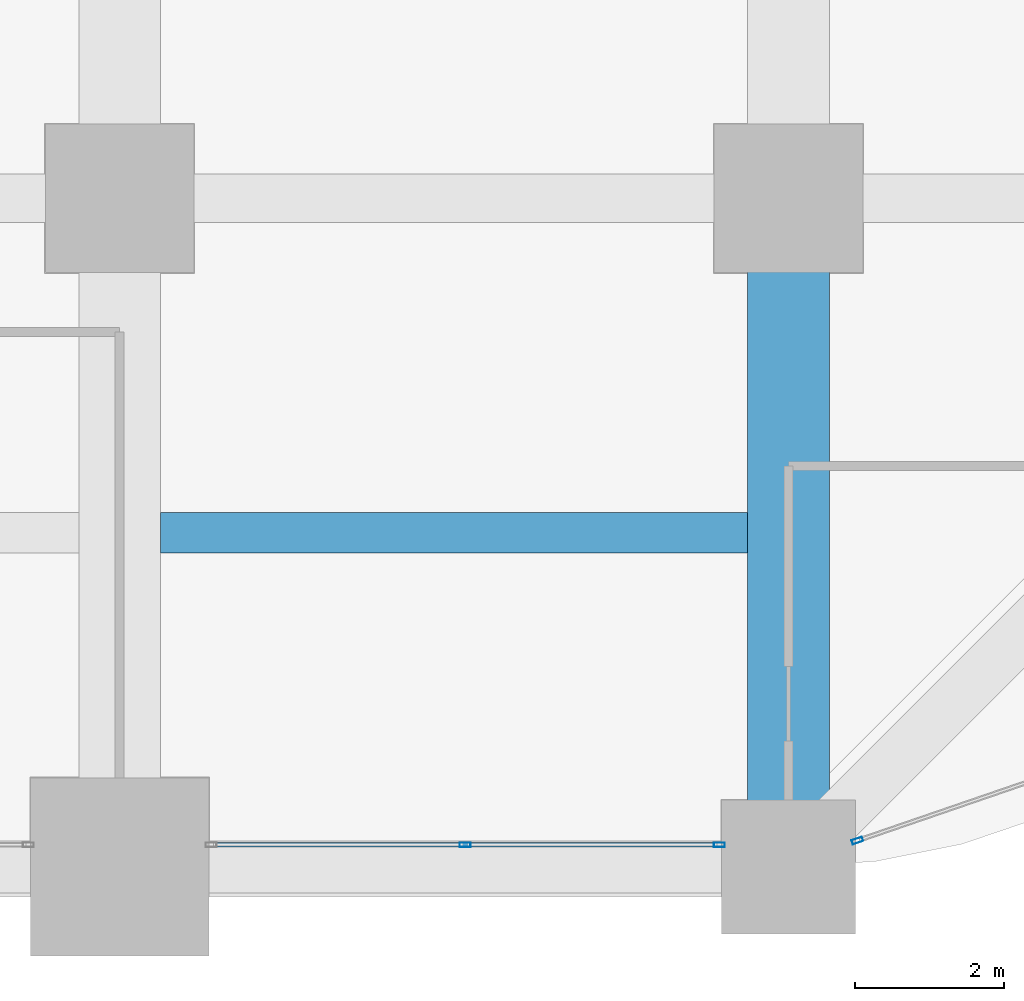
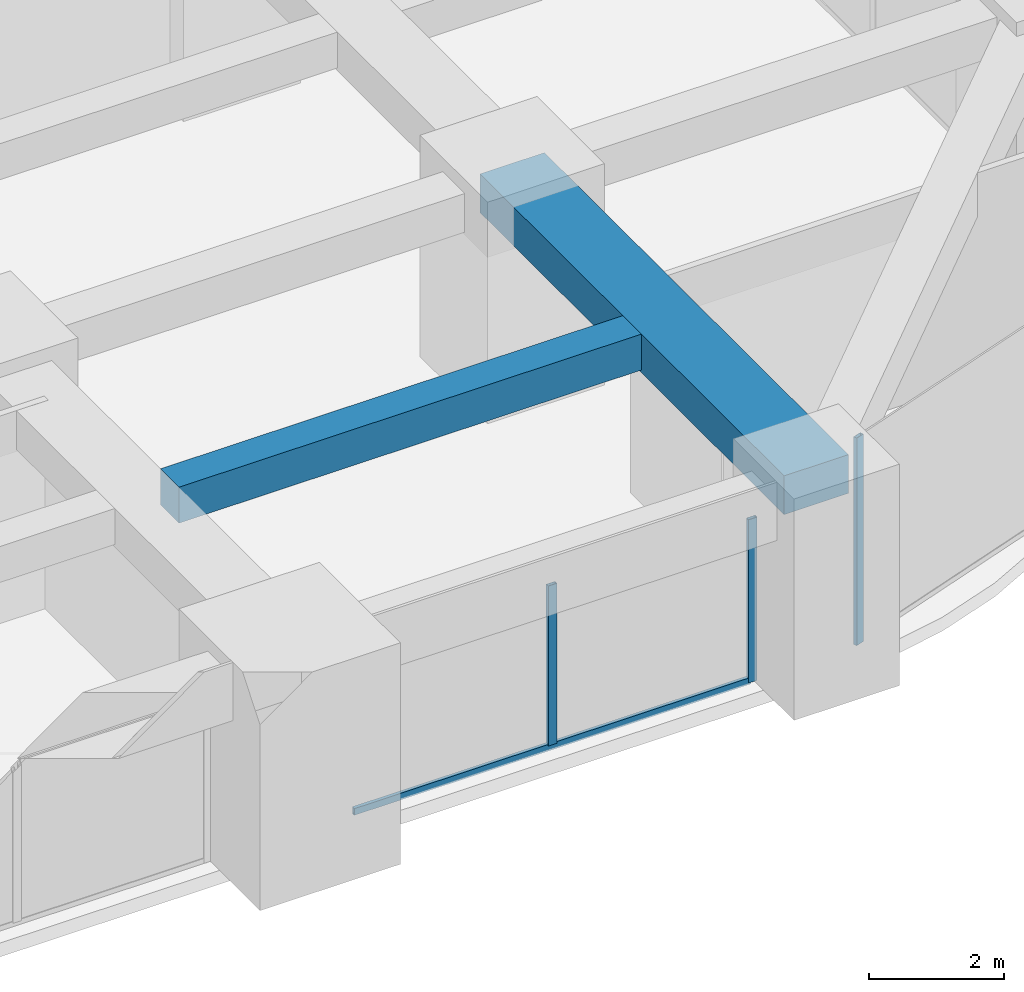
# One storey, part 16 of 39: 4 members, 2 beams, 2 elements without a shape of their own.
"""IFC4 building model written with IfcOpenShell, lengths in metres."""

from ifc_helpers import new_model, si_unit, direction, frame, origin, origin_2d, place, context, subcontext, project, spatial, rectangle, hollow_rectangle, extrude, material, material_profile, profile_set, type_object, element, aggregate, save


model = new_model("IFC4")

# Units and contexts
model_context = context("Model", 3, precision=1e-05, world=origin(), true_north=direction((0.0, 1.0)))
body_context = subcontext(model_context, "Body", "Model", "MODEL_VIEW")
ifc_project = project(units=[si_unit("LENGTHUNIT", "METRE"), si_unit("AREAUNIT", "SQUARE_METRE"), si_unit("VOLUMEUNIT", "CUBIC_METRE"), si_unit("PLANEANGLEUNIT", "RADIAN"), si_unit("MASSUNIT", "GRAM", prefix="KILO")], contexts=[model_context])

# Site, building, storey
site_placement = place(None, origin())
site = spatial("IfcSite", under=ifc_project, at=site_placement, CompositionType="ELEMENT")
building_placement = place(site_placement, origin())
building = spatial("IfcBuilding", under=site, at=building_placement, Name="Zorevar Civic Tower", CompositionType="ELEMENT")
storey_placement = place(building_placement, frame((0.0, 0.0, 117.0)))
storey = spatial("IfcBuildingStorey", under=building, at=storey_placement, Name="L28", CompositionType="ELEMENT", Elevation=117.0)

# Beams
ifc_material_1 = material(Name="Concrete C50/60", Category="concrete")
ifc_material_profile_1 = material_profile(ifc_material_1, rectangle(XDim=1.10009765625, YDim=0.699951171875, at=origin_2d()), Name="RC 1100x700")
ifc_profile_set_1 = profile_set([ifc_material_profile_1], Name="Concrete C50/60")
beam_type_1 = type_object("IfcBeamType", Name="Beam RC 1100x700", PredefinedType="BEAM", material=ifc_profile_set_1)
beam_1_placement = place(storey_placement, frame((54.0, 0.0, 3.39990234375), z_axis=(0.0, 1.0, 0.0), x_axis=(-1.0, 0.0, 0.0)))
element("IfcBeam", 1, at=beam_1_placement, inside=storey, type_object=beam_type_1, Name="Girder L29", PredefinedType="BEAM", context=body_context, shape_type="SweptSolid", body=[
    extrude(rectangle(XDim=1.10009765625, YDim=0.699951171875, at=origin_2d()), origin(), (0.0, 0.0, 1.0), 9.0),
])
ifc_material_2 = material(Name="Concrete C50/60", Category="concrete")
ifc_material_profile_2 = material_profile(ifc_material_2, rectangle(XDim=0.550048828125, YDim=0.64990234375, at=origin_2d()), Name="RC 550x650")
ifc_profile_set_2 = profile_set([ifc_material_profile_2], Name="Concrete C50/60")
beam_type_2 = type_object("IfcBeamType", Name="Beam RC 550x650", PredefinedType="BEAM", material=ifc_profile_set_2)
beam_2_placement = place(storey_placement, frame((45.550048828125, 4.5, 3.425048828125), z_axis=(1.0, 0.0, 0.0), x_axis=(0.0, 1.0, 0.0)))
element("IfcBeam", 2, at=beam_2_placement, inside=storey, type_object=beam_type_2, Name="Secondary beam L29", PredefinedType="BEAM", context=body_context, shape_type="SweptSolid", body=[
    extrude(rectangle(XDim=0.550048828125, YDim=0.64990234375, at=origin_2d()), origin(), (0.0, 0.0, 1.0), 7.89990234375),
])

# Curtain wall, members
ifc_material_3 = material(Name="Dark grey solar-control glass in black aluminium frame", Category="aluminium")
curtain_wall_type = type_object("IfcCurtainWallType", Name="Curtain wall CW3 mid zone", PredefinedType="NOTDEFINED", material=ifc_material_3)
curtain_wall_1_placement = place(storey_placement, origin())
curtain_wall_1 = element("IfcCurtainWall", 3, at=curtain_wall_1_placement, inside=storey, type_object=curtain_wall_type, Name="CW3 L28", PredefinedType="NOTDEFINED")
ifc_material_4 = material(Name="Aluminium, black anodised", Category="aluminium")
ifc_material_profile_3 = material_profile(ifc_material_4, hollow_rectangle(XDim=0.06005859375, YDim=0.14990234375, WallThickness=0.00390625, at=origin_2d()), Name="AL 150x60x4")
ifc_profile_set_3 = profile_set([ifc_material_profile_3], Name="Aluminium, black anodised")
member_type_1 = type_object("IfcMemberType", Name="CW3 mullion AL 150x60x4", PredefinedType="MULLION", material=ifc_profile_set_3)
member_1_placement = place(storey_placement, frame((49.64990234375, 0.300048828125, 0.06005859375), z_axis=(0.0, 0.0, 1.0), x_axis=(0.0, 1.0, 0.0)))
member_1 = element("IfcMember", 4, at=member_1_placement, type_object=member_type_1, Name="CW3 mullion 2", PredefinedType="MULLION", context=body_context, shape_type="SweptSolid", body=[
    extrude(hollow_rectangle(XDim=0.06005859375, YDim=0.14990234375, WallThickness=0.00390625, at=origin_2d()), origin(), (0.0, 0.0, 1.0), 2.889892578125),
])
member_2_placement = place(storey_placement, frame((53.070068359375, 0.300048828125, 0.0), z_axis=(0.0, 0.0, 1.0), x_axis=(0.0, 1.0, 0.0)))
member_2 = element("IfcMember", 5, at=member_2_placement, type_object=member_type_1, Name="CW3 mullion 3", PredefinedType="MULLION", context=body_context, shape_type="SweptSolid", body=[
    extrude(hollow_rectangle(XDim=0.06005859375, YDim=0.14990234375, WallThickness=0.00390625, at=origin_2d()), origin(), (0.0, 0.0, 1.0), 2.949951171875),
])

# Curtain wall, member
curtain_wall_2_placement = place(storey_placement, origin())
curtain_wall_2 = element("IfcCurtainWall", 6, at=curtain_wall_2_placement, inside=storey, type_object=curtain_wall_type, Name="CW3 L28", PredefinedType="NOTDEFINED")
member_3_placement = place(storey_placement, frame((54.928466796875, 0.3564453125, 0.0), z_axis=(0.0, 0.0, 1.0), x_axis=(-0.324878466857, 0.945755772794, 0.0)))
member_3 = element("IfcMember", 7, at=member_3_placement, type_object=member_type_1, Name="CW3 mullion 1", PredefinedType="MULLION", context=body_context, shape_type="SweptSolid", body=[
    extrude(hollow_rectangle(XDim=0.06005859375, YDim=0.14990234375, WallThickness=0.00390625, at=origin_2d()), origin(), (0.0, 0.0, 1.0), 3.75),
])
aggregate(curtain_wall_2, [member_3])

# Member
ifc_material_5 = material(Name="Aluminium, black anodised", Category="aluminium")
ifc_material_profile_4 = material_profile(ifc_material_5, hollow_rectangle(XDim=0.06005859375, YDim=0.1201171875, WallThickness=0.0029296875, at=origin_2d()), Name="AL 120x60x3")
ifc_profile_set_4 = profile_set([ifc_material_profile_4], Name="Aluminium, black anodised")
member_type_2 = type_object("IfcMemberType", Name="CW3 transom AL 120x60x3", PredefinedType="USERDEFINED", material=ifc_profile_set_4)
member_4_placement = place(storey_placement, frame((46.260009765625, 0.300048828125, 0.030029296875), z_axis=(1.0, 0.0, 0.0), x_axis=(0.0, 1.0, 0.0)))
member_4 = element("IfcMember", 8, at=member_4_placement, type_object=member_type_2, Name="CW3 sill transom", ObjectType="TRANSOM", PredefinedType="USERDEFINED", context=body_context, shape_type="SweptSolid", body=[
    extrude(hollow_rectangle(XDim=0.06005859375, YDim=0.1201171875, WallThickness=0.0029296875, at=origin_2d()), origin(), (0.0, 0.0, 1.0), 6.780029296875),
])

aggregate(curtain_wall_1, [member_1, member_2, member_4])

save(model, "model.ifc")
